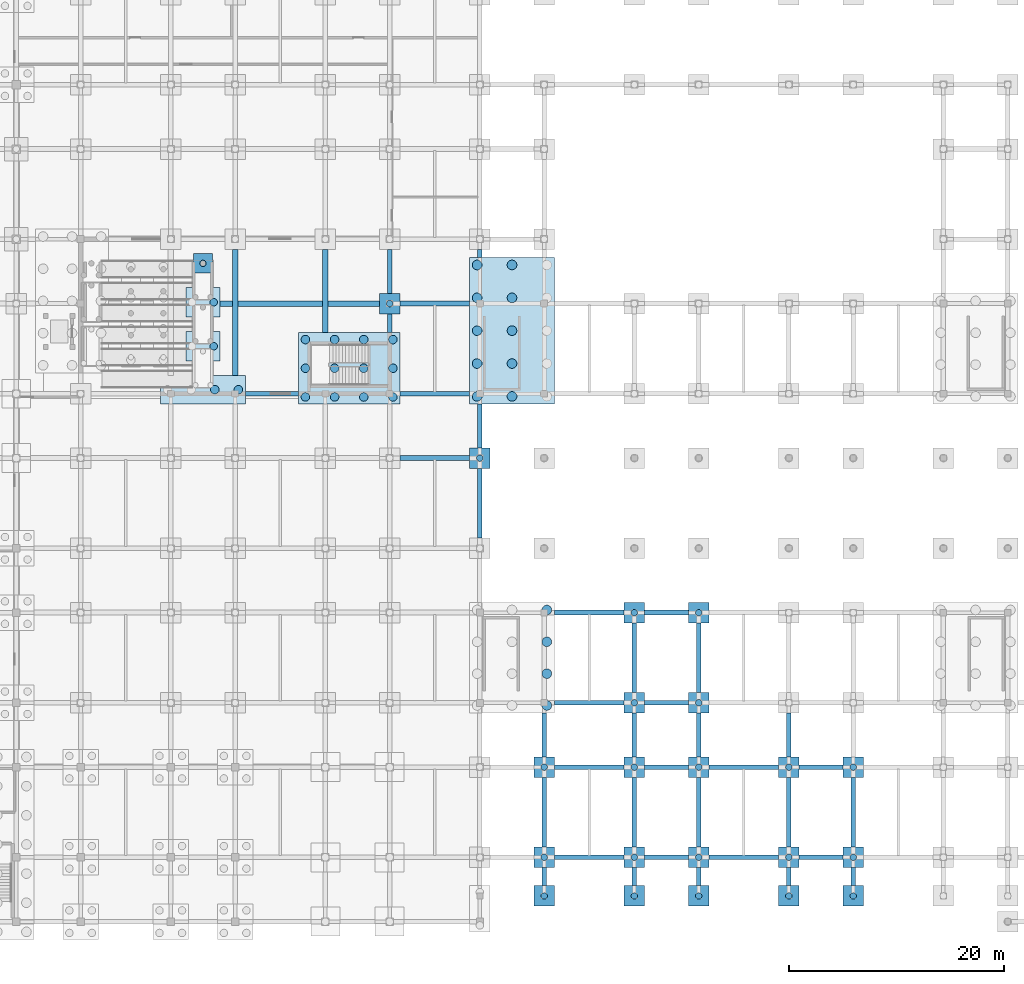
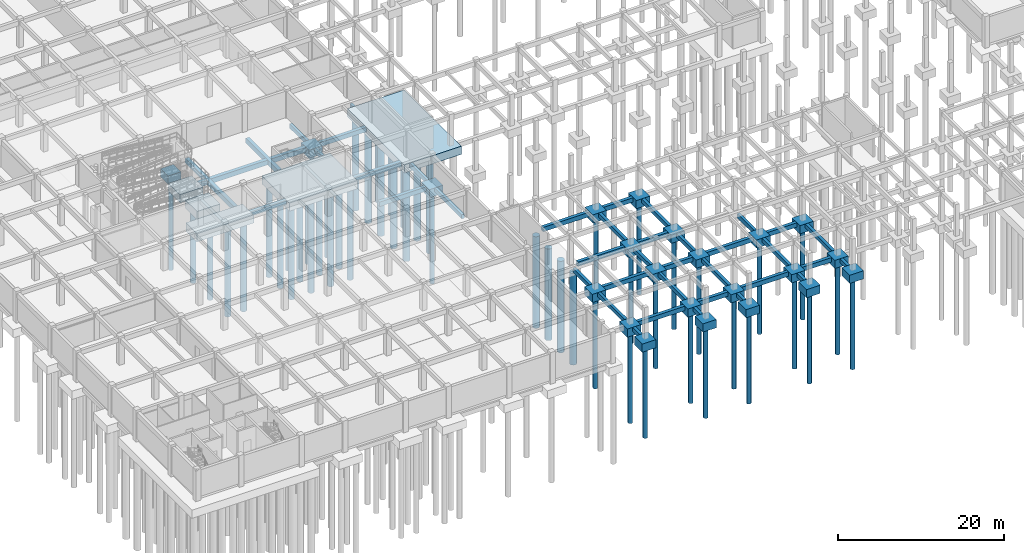
# One storey, part 4 of 40: 67 footings, 52 piles.
"""IFC4 building model written with IfcOpenShell, lengths in metres."""

import ifcopenshell
import ifcopenshell.guid

model = None  # the IFC model being written
_history = None  # IfcOwnerHistory: only IFC2X3 demands one
_inside = {}  # id of a spatial element -> (the spatial element, [elements in it])
_under = {}  # id of a project, library or spatial element -> (it, [spatial elements below it])
_declared = {}  # id of a project -> (the project, [libraries it declares])
_typed = {}  # id of a type object -> (the type object, [elements of that type])
_made_of = {}  # id of a material, layer set ... -> (it, [elements and type objects made of it])


def new_model(schema):
    """Start an empty IFC model of exactly this schema.

    Asked for "IFC4X3", IfcOpenShell would pick the latest addendum, in which some entities
    have other attributes; the version numbers below select the first issue.
    IFC2X3 requires an IfcOwnerHistory on every rooted entity: one is made here for all.
    """
    global model, _history
    if schema == "IFC4X3":
        model = ifcopenshell.file(schema_version=(4, 3, 0, 0))
    else:
        model = ifcopenshell.file(schema=schema)
    _inside.clear()
    _under.clear()
    _declared.clear()
    _typed.clear()
    _made_of.clear()
    _history = None
    if model.schema == "IFC2X3":
        org = make("IfcOrganization", Name="unknown")
        user = make(
            "IfcPersonAndOrganization",
            ThePerson=make("IfcPerson", FamilyName="unknown"),
            TheOrganization=org,
        )
        app = make(
            "IfcApplication",
            ApplicationDeveloper=org,
            Version="unknown",
            ApplicationFullName="unknown",
            ApplicationIdentifier="unknown",
        )
        _history = make(
            "IfcOwnerHistory",
            OwningUser=user,
            OwningApplication=app,
            ChangeAction="ADDED",
            CreationDate=0,
        )
    return model


def make(cls, **values):
    """One entity of the class cls with the attributes given. An attribute that is None is left unset."""
    return model.create_entity(
        cls, **{name: value for name, value in values.items() if value is not None}
    )


def rooted(cls, **values):
    """An entity with a GlobalId (a new one), such as an element, a storey or a relation."""
    return make(cls, GlobalId=ifcopenshell.guid.new(), OwnerHistory=_history, **values)


def si_unit(unit_type, name, prefix=None):
    """IfcSIUnit, for example si_unit("LENGTHUNIT", "METRE", prefix="MILLI")."""
    return make("IfcSIUnit", UnitType=unit_type, Prefix=prefix, Name=name)


def assignment(units):
    """IfcUnitAssignment: the units of a project."""
    return None if units is None else make("IfcUnitAssignment", Units=units)


def point(xyz):
    """IfcCartesianPoint."""
    return None if xyz is None else make("IfcCartesianPoint", Coordinates=xyz)


def direction(xyz):
    """IfcDirection."""
    return None if xyz is None else make("IfcDirection", DirectionRatios=xyz)


def frame(location, z_axis=None, x_axis=None):
    """IfcAxis2Placement3D, a coordinate frame: its origin and axes. An axis left out is left unset."""
    return make(
        "IfcAxis2Placement3D",
        Location=point(location),
        Axis=direction(z_axis),
        RefDirection=direction(x_axis),
    )


def frame_2d(location, x_axis=None):
    """IfcAxis2Placement2D, a coordinate frame in the plane: its origin and x axis."""
    return make(
        "IfcAxis2Placement2D", Location=point(location), RefDirection=direction(x_axis)
    )


def origin():
    """The frame at (0, 0, 0) with its axes left unset."""
    return frame((0.0, 0.0, 0.0))


def origin_2d():
    """The frame at (0, 0) in the plane with its x axis left unset."""
    return frame_2d((0.0, 0.0))


def place(relative_to, where):
    """IfcLocalPlacement: puts the frame where relative to a parent placement (None: the world)."""
    return make(
        "IfcLocalPlacement", PlacementRelTo=relative_to, RelativePlacement=where
    )


def context(
    kind, dimensions, precision=None, world=None, true_north=None, identifier=None
):
    """IfcGeometricRepresentationContext, for example the 3D "Model" context."""
    return make(
        "IfcGeometricRepresentationContext",
        ContextIdentifier=identifier,
        ContextType=kind,
        CoordinateSpaceDimension=dimensions,
        Precision=precision,
        WorldCoordinateSystem=world,
        TrueNorth=true_north,
    )


def subcontext(parent, identifier, kind, view, scale=None):
    """IfcGeometricRepresentationSubContext, for example "Body" below "Model"."""
    return make(
        "IfcGeometricRepresentationSubContext",
        ContextIdentifier=identifier,
        ContextType=kind,
        ParentContext=parent,
        TargetScale=scale,
        TargetView=view,
    )


def project(units=None, contexts=None):
    """IfcProject with its units and contexts."""
    return rooted(
        "IfcProject",
        Name="project",
        RepresentationContexts=contexts,
        UnitsInContext=assignment(units),
    )


def spatial(cls, under=None, at=None, **own):
    """A site, building, storey or space (cls), placed at a placement, below another one or the project."""
    s = rooted(cls, ObjectPlacement=at, **own)
    if under is not None:
        _under.setdefault(under.id(), (under, []))[1].append(s)
    return s


def profile(cls, at=None, kind="AREA", **sizes):
    """A parametric profile (cls). Its sizes go by their IFC names, for example OverallWidth=200.0."""
    return make(cls, ProfileType=kind, Position=at, **sizes)


def rectangle(**sizes):
    """IfcRectangleProfileDef."""
    return profile("IfcRectangleProfileDef", **sizes)


def circle(**sizes):
    """IfcCircleProfileDef."""
    return profile("IfcCircleProfileDef", **sizes)


def extrude(swept, where, along, depth):
    """IfcExtrudedAreaSolid: the profile swept, set in the frame where, extruded along a direction by depth."""
    return make(
        "IfcExtrudedAreaSolid",
        SweptArea=swept,
        Position=where,
        ExtrudedDirection=direction(along),
        Depth=depth,
    )


def shape(context_of_items, identifier, shape_type, items):
    """IfcShapeRepresentation: the items that make up one representation, for example the "Body"."""
    return make(
        "IfcShapeRepresentation",
        ContextOfItems=context_of_items,
        RepresentationIdentifier=identifier,
        RepresentationType=shape_type,
        Items=items,
    )


def material(Name=None, Category=None):
    """IfcMaterial."""
    return make("IfcMaterial", Name=Name, Category=Category)


def material_profile(
    of_material, cross_section, Name=None, Category=None, Priority=None
):
    """IfcMaterialProfile: a cross section and its material."""
    return make(
        "IfcMaterialProfile",
        Name=Name,
        Material=of_material,
        Profile=cross_section,
        Priority=Priority,
        Category=Category,
    )


def profile_set(profiles, Name=None, composite=None):
    """IfcMaterialProfileSet."""
    return make(
        "IfcMaterialProfileSet",
        Name=Name,
        MaterialProfiles=profiles,
        CompositeProfile=composite,
    )


def made_of(thing, what):
    """Note that an element or type object is made of a material, layer set ...; save() writes the relation."""
    if what is not None:
        _made_of.setdefault(what.id(), (what, []))[1].append(thing)
    return thing


def type_object(cls, material=None, **own):
    """A type object (cls), such as IfcWallType, which elements share."""
    return made_of(rooted(cls, **own), material)


def element(
    cls,
    number,
    at=None,
    inside=None,
    cuts=None,
    type_object=None,
    material=None,
    context=None,
    identifier="Body",
    shape_type=None,
    held_by="IfcProductDefinitionShape",
    body=None,
    shapes=None,
    **own,
):
    """One element of the class cls, such as IfcWall. Its Tag is "e" and its number.

    at: its placement. inside: the storey or other place that contains it. cuts: it is an
    opening in that element (IfcRelVoidsElement). A single representation is given by context,
    identifier, shape_type and body (its items); several are given by shapes. held_by: the class
    of the entity that holds the representations. save() writes the other relations.
    """
    e = rooted(cls, Tag="e%d" % number, ObjectPlacement=at, **own)
    if body is not None:
        shapes = [shape(context, identifier, shape_type, body)]
    if shapes is not None:
        e.Representation = make(held_by, Representations=shapes)
    if inside is not None:
        _inside.setdefault(inside.id(), (inside, []))[1].append(e)
    if cuts is not None:
        rooted(
            "IfcRelVoidsElement", RelatingBuildingElement=cuts, RelatedOpeningElement=e
        )
    if type_object is not None:
        _typed.setdefault(type_object.id(), (type_object, []))[1].append(e)
    return made_of(e, material)


def aggregate(whole, parts):
    """IfcRelAggregates: a whole, such as a stair, and the parts it consists of."""
    return rooted("IfcRelAggregates", RelatingObject=whole, RelatedObjects=parts)


def save(model, path):
    """Write the relations noted so far, then the file.

    IfcRelAggregates (storeys below a building ...), IfcRelContainedInSpatialStructure (elements
    in a storey), IfcRelDefinesByType, IfcRelAssociatesMaterial and IfcRelDeclares: one each for
    every whole, place, type object, material and project.
    """
    for whole, parts in _under.values():
        aggregate(whole, parts)
    for where, things in _inside.values():
        rooted(
            "IfcRelContainedInSpatialStructure",
            RelatedElements=things,
            RelatingStructure=where,
        )
    for kind, things in _typed.values():
        rooted("IfcRelDefinesByType", RelatedObjects=things, RelatingType=kind)
    for what, things in _made_of.values():
        rooted("IfcRelAssociatesMaterial", RelatedObjects=things, RelatingMaterial=what)
    for by, libraries in _declared.values():
        rooted("IfcRelDeclares", RelatingContext=by, RelatedDefinitions=libraries)
    model.write(path)


model = new_model("IFC4")

# Units and contexts
model_context = context("Model", 3, precision=1e-05, world=origin(), true_north=direction((0.0, 1.0)))
body_context = subcontext(model_context, "Body", "Model", "MODEL_VIEW")
ifc_project = project(units=[si_unit("LENGTHUNIT", "METRE"), si_unit("AREAUNIT", "SQUARE_METRE"), si_unit("VOLUMEUNIT", "CUBIC_METRE"), si_unit("PLANEANGLEUNIT", "RADIAN"), si_unit("MASSUNIT", "GRAM", prefix="KILO"), si_unit("THERMODYNAMICTEMPERATUREUNIT", "KELVIN")], contexts=[model_context])

# Site, building, storey
site_placement = place(None, origin())
site = spatial("IfcSite", under=ifc_project, at=site_placement, CompositionType="ELEMENT")
building_placement = place(site_placement, origin())
building = spatial("IfcBuilding", under=site, at=building_placement, Name="Thalorik Housing Commons", CompositionType="ELEMENT")
storey_placement = place(building_placement, frame((0.0, 0.0, -4.199951171875)))
storey = spatial("IfcBuildingStorey", under=building, at=storey_placement, Name="B1", CompositionType="ELEMENT", Elevation=-4.199951171875)

# Footings
ifc_material = material(Name="Concrete C40/50", Category="concrete")
footing_type_1 = type_object("IfcFootingType", Name="STR-CAP-1800x1800", PredefinedType="PILE_CAP", material=ifc_material)
footing_1_placement = place(storey_placement, frame((40.199951171875, 69.75, -1.64990234375), z_axis=(0.0, 0.0, 1.0), x_axis=(1.0, 0.0, 0.0)))
element("IfcFooting", 1, at=footing_1_placement, inside=storey, type_object=footing_type_1, Name="B1 Pile Cap 157", PredefinedType="PILE_CAP", context=body_context, shape_type="SweptSolid", body=[
    extrude(rectangle(XDim=1.800048828125, YDim=1.800048828125, at=origin_2d()), origin(), (0.0, 0.0, 1.0), 1.199951171875),
])
footing_type_2 = type_object("IfcFootingType", Name="STR-CAP-1900x1900", PredefinedType="PILE_CAP", material=ifc_material)
for number, where, z_axis, x_axis, name in (
    (2, (72.0, 10.800048828125, -1.64990234375), (0.0, 0.0, 1.0), (1.0, 0.0, 0.0), "B1 Pile Cap 14"),
    (3, (80.39990234375, 10.800048828125, -1.64990234375), (0.0, 0.0, 1.0), (1.0, 0.0, 0.0), "B1 Pile Cap 15"),
    (4, (86.39990234375, 10.800048828125, -1.64990234375), (0.0, 0.0, 1.0), (1.0, 0.0, 0.0), "B1 Pile Cap 16"),
    (5, (94.800048828125, 10.800048828125, -1.64990234375), (0.0, 0.0, 1.0), (1.0, 0.0, 0.0), "B1 Pile Cap 17"),
    (6, (100.800048828125, 10.800048828125, -1.64990234375), (0.0, 0.0, 1.0), (1.0, 0.0, 0.0), "B1 Pile Cap 18"),
    (7, (72.0, 14.39990234375, -1.64990234375), (0.0, 0.0, 1.0), (1.0, 0.0, 0.0), "B1 Pile Cap 27"),
    (8, (80.39990234375, 14.39990234375, -1.64990234375), (0.0, 0.0, 1.0), (1.0, 0.0, 0.0), "B1 Pile Cap 28"),
    (9, (86.39990234375, 14.39990234375, -1.64990234375), (0.0, 0.0, 1.0), (1.0, 0.0, 0.0), "B1 Pile Cap 29"),
    (10, (94.800048828125, 14.39990234375, -1.64990234375), (0.0, 0.0, 1.0), (1.0, 0.0, 0.0), "B1 Pile Cap 30"),
    (11, (100.800048828125, 14.39990234375, -1.64990234375), (0.0, 0.0, 1.0), (1.0, 0.0, 0.0), "B1 Pile Cap 31"),
    (12, (72.0, 22.800048828125, -1.64990234375), (0.0, 0.0, 1.0), (1.0, 0.0, 0.0), "B1 Pile Cap 44"),
    (13, (80.39990234375, 22.800048828125, -1.64990234375), (0.0, 0.0, 1.0), (1.0, 0.0, 0.0), "B1 Pile Cap 45"),
    (14, (86.39990234375, 22.800048828125, -1.64990234375), (0.0, 0.0, 1.0), (1.0, 0.0, 0.0), "B1 Pile Cap 46"),
    (15, (94.800048828125, 22.800048828125, -1.64990234375), (0.0, 0.0, 1.0), (1.0, 0.0, 0.0), "B1 Pile Cap 47"),
    (16, (100.800048828125, 22.800048828125, -1.64990234375), (0.0, 0.0, 1.0), (1.0, 0.0, 0.0), "B1 Pile Cap 48"),
    (17, (80.39990234375, 28.800048828125, -1.64990234375), (0.0, 0.0, 1.0), (1.0, 0.0, 0.0), "B1 Pile Cap 67"),
    (18, (86.39990234375, 28.800048828125, -1.64990234375), (0.0, 0.0, 1.0), (1.0, 0.0, 0.0), "B1 Pile Cap 68"),
    (19, (80.39990234375, 37.199951171875, -1.64990234375), (0.0, 0.0, 1.0), (1.0, 0.0, 0.0), "B1 Pile Cap 91"),
    (20, (86.39990234375, 37.199951171875, -1.64990234375), (0.0, 0.0, 1.0), (1.0, 0.0, 0.0), "B1 Pile Cap 92"),
    (21, (66.0, 51.60009765625, -1.64990234375), (0.0, 0.0, 1.0), (1.0, 0.0, 0.0), "B1 Pile Cap 124"),
    (22, (57.60009765625, 66.0, -1.64990234375), (0.0, 0.0, 1.0), (1.0, 0.0, 0.0), "B1 Pile Cap 152"),
):
    element("IfcFooting", number, at=place(storey_placement, frame(where, z_axis=z_axis, x_axis=x_axis)), inside=storey, type_object=footing_type_2, Name=name, PredefinedType="PILE_CAP", context=body_context, shape_type="SweptSolid", body=[
        extrude(rectangle(XDim=1.89990234375, YDim=1.89990234375, at=origin_2d()), origin(), (0.0, 0.0, 1.0), 1.199951171875),
    ])
footing_type_3 = type_object("IfcFootingType", Name="STR-CAP-3200x2750", PredefinedType="PILE_CAP", material=ifc_material)
for number, where, z_axis, x_axis, name in (
    (23, (40.199951171875, 62.02490234375, -1.64990234375), (0.0, 0.0, 1.0), (1.0, 0.0, 0.0), "B1 Pile Cap 144"),
    (24, (40.199951171875, 66.125, -1.64990234375), (0.0, 0.0, 1.0), (1.0, 0.0, 0.0), "B1 Pile Cap 147"),
):
    element("IfcFooting", number, at=place(storey_placement, frame(where, z_axis=z_axis, x_axis=x_axis)), inside=storey, type_object=footing_type_3, Name=name, PredefinedType="PILE_CAP", context=body_context, shape_type="SweptSolid", body=[
        extrude(rectangle(XDim=3.199951171875, YDim=2.75, at=origin_2d()), origin(), (0.0, 0.0, 1.0), 1.199951171875),
    ])
footing_type_4 = type_object("IfcFootingType", Name="STR-CAP-7900x13650", PredefinedType="PILE_CAP", material=ifc_material)
footing_2_placement = place(storey_placement, frame((69.0, 63.47509765625, -1.64990234375), z_axis=(0.0, 0.0, 1.0), x_axis=(1.0, 0.0, 0.0)))
element("IfcFooting", 25, at=footing_2_placement, inside=storey, type_object=footing_type_4, Name="B1 Pile Cap 135", PredefinedType="PILE_CAP", context=body_context, shape_type="SweptSolid", body=[
    extrude(rectangle(XDim=7.89990234375, YDim=13.64990234375, at=origin_2d()), origin(), (0.0, 0.0, 1.0), 1.199951171875),
])
footing_type_5 = type_object("IfcFootingType", Name="STR-CAP-7900x2650", PredefinedType="PILE_CAP", material=ifc_material)
footing_3_placement = place(storey_placement, frame((40.199951171875, 57.97509765625, -1.64990234375), z_axis=(0.0, 0.0, 1.0), x_axis=(1.0, 0.0, 0.0)))
element("IfcFooting", 26, at=footing_3_placement, inside=storey, type_object=footing_type_5, Name="B1 Pile Cap 133", PredefinedType="PILE_CAP", context=body_context, shape_type="SweptSolid", body=[
    extrude(rectangle(XDim=7.89990234375, YDim=2.64990234375, at=origin_2d()), origin(), (0.0, 0.0, 1.0), 1.199951171875),
])
footing_type_6 = type_object("IfcFootingType", Name="STR-CAP-9450x6650", PredefinedType="PILE_CAP", material=ifc_material)
footing_4_placement = place(storey_placement, frame((53.824951171875, 59.97509765625, -1.64990234375), z_axis=(0.0, 0.0, 1.0), x_axis=(1.0, 0.0, 0.0)))
element("IfcFooting", 27, at=footing_4_placement, inside=storey, type_object=footing_type_6, Name="B1 Pile Cap 134", PredefinedType="PILE_CAP", context=body_context, shape_type="SweptSolid", body=[
    extrude(rectangle(XDim=9.449951171875, YDim=6.64990234375, at=origin_2d()), origin(), (0.0, 0.0, 1.0), 1.199951171875),
])
ifc_material_profile_1 = material_profile(ifc_material, rectangle(XDim=0.39990234375, YDim=0.60009765625, at=origin_2d()), Name="RC 400x600", Category="concrete")
ifc_profile_set_1 = profile_set([ifc_material_profile_1], Name="Concrete C40/50")
footing_type_7 = type_object("IfcFootingType", Name="STR-GB-400", PredefinedType="FOOTING_BEAM", material=ifc_profile_set_1)
footing_5_placement = place(storey_placement, frame((57.60009765625, 63.300048828125, -0.75), z_axis=(0.0, 1.0, 0.0), x_axis=(-1.0, 0.0, 0.0)))
element("IfcFooting", 28, at=footing_5_placement, inside=storey, type_object=footing_type_7, Name="B1 Ground Tie-Beam Y 366", PredefinedType="FOOTING_BEAM", context=body_context, shape_type="SweptSolid", body=[
    extrude(rectangle(XDim=0.39990234375, YDim=0.60009765625, at=origin_2d()), origin(), (0.0, 0.0, 1.0), 1.75),
])
footing_6_placement = place(storey_placement, frame((57.60009765625, 66.949951171875, -0.75), z_axis=(0.0, 1.0, 0.0), x_axis=(-1.0, 0.0, 0.0)))
element("IfcFooting", 29, at=footing_6_placement, inside=storey, type_object=footing_type_7, Name="B1 Ground Tie-Beam Y 367", PredefinedType="FOOTING_BEAM", context=body_context, shape_type="SweptSolid", body=[
    extrude(rectangle(XDim=0.39990234375, YDim=0.60009765625, at=origin_2d()), origin(), (0.0, 0.0, 1.0), 4.10009765625),
])
footing_7_placement = place(storey_placement, frame((66.0, 44.14990234375, -0.75), z_axis=(0.0, 1.0, 0.0), x_axis=(-1.0, 0.0, 0.0)))
element("IfcFooting", 30, at=footing_7_placement, inside=storey, type_object=footing_type_7, Name="B1 Ground Tie-Beam Y 379", PredefinedType="FOOTING_BEAM", context=body_context, shape_type="SweptSolid", body=[
    extrude(rectangle(XDim=0.39990234375, YDim=0.60009765625, at=origin_2d()), origin(), (0.0, 0.0, 1.0), 6.5),
])
footing_8_placement = place(storey_placement, frame((66.0, 52.550048828125, -0.75), z_axis=(0.0, 1.0, 0.0), x_axis=(-1.0, 0.0, 0.0)))
element("IfcFooting", 31, at=footing_8_placement, inside=storey, type_object=footing_type_7, Name="B1 Ground Tie-Beam Y 380", PredefinedType="FOOTING_BEAM", context=body_context, shape_type="SweptSolid", body=[
    extrude(rectangle(XDim=0.39990234375, YDim=0.60009765625, at=origin_2d()), origin(), (0.0, 0.0, 1.0), 4.099853515625),
])
footing_9_placement = place(storey_placement, frame((66.0, 70.300048828125, -0.75), z_axis=(0.0, 1.0, 0.0), x_axis=(-1.0, 0.0, 0.0)))
element("IfcFooting", 32, at=footing_9_placement, inside=storey, type_object=footing_type_7, Name="B1 Ground Tie-Beam Y 381", PredefinedType="FOOTING_BEAM", context=body_context, shape_type="SweptSolid", body=[
    extrude(rectangle(XDim=0.39990234375, YDim=0.60009765625, at=origin_2d()), origin(), (0.0, 0.0, 1.0), 0.75),
])
footing_10_placement = place(storey_placement, frame((72.0, 11.75, -0.75), z_axis=(0.0, 1.0, 0.0), x_axis=(-1.0, 0.0, 0.0)))
element("IfcFooting", 33, at=footing_10_placement, inside=storey, type_object=footing_type_7, Name="B1 Ground Tie-Beam Y 389", PredefinedType="FOOTING_BEAM", context=body_context, shape_type="SweptSolid", body=[
    extrude(rectangle(XDim=0.39990234375, YDim=0.60009765625, at=origin_2d()), origin(), (0.0, 0.0, 1.0), 1.699951171875),
])
footing_11_placement = place(storey_placement, frame((72.0, 15.35009765625, -0.75), z_axis=(0.0, 1.0, 0.0), x_axis=(-1.0, 0.0, 0.0)))
element("IfcFooting", 34, at=footing_11_placement, inside=storey, type_object=footing_type_7, Name="B1 Ground Tie-Beam Y 390", PredefinedType="FOOTING_BEAM", context=body_context, shape_type="SweptSolid", body=[
    extrude(rectangle(XDim=0.39990234375, YDim=0.60009765625, at=origin_2d()), origin(), (0.0, 0.0, 1.0), 6.5),
])
footing_12_placement = place(storey_placement, frame((72.0, 23.75, -0.75), z_axis=(0.0, 1.0, 0.0), x_axis=(-1.0, 0.0, 0.0)))
element("IfcFooting", 35, at=footing_12_placement, inside=storey, type_object=footing_type_7, Name="B1 Ground Tie-Beam Y 391", PredefinedType="FOOTING_BEAM", context=body_context, shape_type="SweptSolid", body=[
    extrude(rectangle(XDim=0.39990234375, YDim=0.60009765625, at=origin_2d()), origin(), (0.0, 0.0, 1.0), 4.10009765625),
])
footing_13_placement = place(storey_placement, frame((80.39990234375, 11.75, -0.75), z_axis=(0.0, 1.0, 0.0), x_axis=(-1.0, 0.0, 0.0)))
element("IfcFooting", 36, at=footing_13_placement, inside=storey, type_object=footing_type_7, Name="B1 Ground Tie-Beam Y 395", PredefinedType="FOOTING_BEAM", context=body_context, shape_type="SweptSolid", body=[
    extrude(rectangle(XDim=0.39990234375, YDim=0.60009765625, at=origin_2d()), origin(), (0.0, 0.0, 1.0), 1.699951171875),
])
footing_14_placement = place(storey_placement, frame((80.39990234375, 15.35009765625, -0.75), z_axis=(0.0, 1.0, 0.0), x_axis=(-1.0, 0.0, 0.0)))
element("IfcFooting", 37, at=footing_14_placement, inside=storey, type_object=footing_type_7, Name="B1 Ground Tie-Beam Y 396", PredefinedType="FOOTING_BEAM", context=body_context, shape_type="SweptSolid", body=[
    extrude(rectangle(XDim=0.39990234375, YDim=0.60009765625, at=origin_2d()), origin(), (0.0, 0.0, 1.0), 6.5),
])
footing_15_placement = place(storey_placement, frame((80.39990234375, 23.75, -0.75), z_axis=(0.0, 1.0, 0.0), x_axis=(-1.0, 0.0, 0.0)))
element("IfcFooting", 38, at=footing_15_placement, inside=storey, type_object=footing_type_7, Name="B1 Ground Tie-Beam Y 397", PredefinedType="FOOTING_BEAM", context=body_context, shape_type="SweptSolid", body=[
    extrude(rectangle(XDim=0.39990234375, YDim=0.60009765625, at=origin_2d()), origin(), (0.0, 0.0, 1.0), 4.10009765625),
])
footing_16_placement = place(storey_placement, frame((80.39990234375, 29.75, -0.75), z_axis=(0.0, 1.0, 0.0), x_axis=(-1.0, 0.0, 0.0)))
element("IfcFooting", 39, at=footing_16_placement, inside=storey, type_object=footing_type_7, Name="B1 Ground Tie-Beam Y 398", PredefinedType="FOOTING_BEAM", context=body_context, shape_type="SweptSolid", body=[
    extrude(rectangle(XDim=0.39990234375, YDim=0.60009765625, at=origin_2d()), origin(), (0.0, 0.0, 1.0), 6.5),
])
footing_17_placement = place(storey_placement, frame((86.39990234375, 11.75, -0.75), z_axis=(0.0, 1.0, 0.0), x_axis=(-1.0, 0.0, 0.0)))
element("IfcFooting", 40, at=footing_17_placement, inside=storey, type_object=footing_type_7, Name="B1 Ground Tie-Beam Y 402", PredefinedType="FOOTING_BEAM", context=body_context, shape_type="SweptSolid", body=[
    extrude(rectangle(XDim=0.39990234375, YDim=0.60009765625, at=origin_2d()), origin(), (0.0, 0.0, 1.0), 1.699951171875),
])
footing_18_placement = place(storey_placement, frame((86.39990234375, 15.35009765625, -0.75), z_axis=(0.0, 1.0, 0.0), x_axis=(-1.0, 0.0, 0.0)))
element("IfcFooting", 41, at=footing_18_placement, inside=storey, type_object=footing_type_7, Name="B1 Ground Tie-Beam Y 403", PredefinedType="FOOTING_BEAM", context=body_context, shape_type="SweptSolid", body=[
    extrude(rectangle(XDim=0.39990234375, YDim=0.60009765625, at=origin_2d()), origin(), (0.0, 0.0, 1.0), 6.5),
])
footing_19_placement = place(storey_placement, frame((86.39990234375, 23.75, -0.75), z_axis=(0.0, 1.0, 0.0), x_axis=(-1.0, 0.0, 0.0)))
element("IfcFooting", 42, at=footing_19_placement, inside=storey, type_object=footing_type_7, Name="B1 Ground Tie-Beam Y 404", PredefinedType="FOOTING_BEAM", context=body_context, shape_type="SweptSolid", body=[
    extrude(rectangle(XDim=0.39990234375, YDim=0.60009765625, at=origin_2d()), origin(), (0.0, 0.0, 1.0), 4.10009765625),
])
footing_20_placement = place(storey_placement, frame((86.39990234375, 29.75, -0.75), z_axis=(0.0, 1.0, 0.0), x_axis=(-1.0, 0.0, 0.0)))
element("IfcFooting", 43, at=footing_20_placement, inside=storey, type_object=footing_type_7, Name="B1 Ground Tie-Beam Y 405", PredefinedType="FOOTING_BEAM", context=body_context, shape_type="SweptSolid", body=[
    extrude(rectangle(XDim=0.39990234375, YDim=0.60009765625, at=origin_2d()), origin(), (0.0, 0.0, 1.0), 6.5),
])
footing_21_placement = place(storey_placement, frame((94.800048828125, 11.75, -0.75), z_axis=(0.0, 1.0, 0.0), x_axis=(-1.0, 0.0, 0.0)))
element("IfcFooting", 44, at=footing_21_placement, inside=storey, type_object=footing_type_7, Name="B1 Ground Tie-Beam Y 409", PredefinedType="FOOTING_BEAM", context=body_context, shape_type="SweptSolid", body=[
    extrude(rectangle(XDim=0.39990234375, YDim=0.60009765625, at=origin_2d()), origin(), (0.0, 0.0, 1.0), 1.699951171875),
])
footing_22_placement = place(storey_placement, frame((94.800048828125, 15.35009765625, -0.75), z_axis=(0.0, 1.0, 0.0), x_axis=(-1.0, 0.0, 0.0)))
element("IfcFooting", 45, at=footing_22_placement, inside=storey, type_object=footing_type_7, Name="B1 Ground Tie-Beam Y 410", PredefinedType="FOOTING_BEAM", context=body_context, shape_type="SweptSolid", body=[
    extrude(rectangle(XDim=0.39990234375, YDim=0.60009765625, at=origin_2d()), origin(), (0.0, 0.0, 1.0), 6.5),
])
footing_23_placement = place(storey_placement, frame((94.800048828125, 23.75, -0.75), z_axis=(0.0, 1.0, 0.0), x_axis=(-1.0, 0.0, 0.0)))
element("IfcFooting", 46, at=footing_23_placement, inside=storey, type_object=footing_type_7, Name="B1 Ground Tie-Beam Y 411", PredefinedType="FOOTING_BEAM", context=body_context, shape_type="SweptSolid", body=[
    extrude(rectangle(XDim=0.39990234375, YDim=0.60009765625, at=origin_2d()), origin(), (0.0, 0.0, 1.0), 4.10009765625),
])
footing_24_placement = place(storey_placement, frame((100.800048828125, 11.75, -0.75), z_axis=(0.0, 1.0, 0.0), x_axis=(-1.0, 0.0, 0.0)))
element("IfcFooting", 47, at=footing_24_placement, inside=storey, type_object=footing_type_7, Name="B1 Ground Tie-Beam Y 416", PredefinedType="FOOTING_BEAM", context=body_context, shape_type="SweptSolid", body=[
    extrude(rectangle(XDim=0.39990234375, YDim=0.60009765625, at=origin_2d()), origin(), (0.0, 0.0, 1.0), 1.699951171875),
])
footing_25_placement = place(storey_placement, frame((100.800048828125, 15.35009765625, -0.75), z_axis=(0.0, 1.0, 0.0), x_axis=(-1.0, 0.0, 0.0)))
element("IfcFooting", 48, at=footing_25_placement, inside=storey, type_object=footing_type_7, Name="B1 Ground Tie-Beam Y 417", PredefinedType="FOOTING_BEAM", context=body_context, shape_type="SweptSolid", body=[
    extrude(rectangle(XDim=0.39990234375, YDim=0.60009765625, at=origin_2d()), origin(), (0.0, 0.0, 1.0), 6.5),
])
ifc_material_profile_2 = material_profile(ifc_material, rectangle(XDim=0.449951171875, YDim=0.64990234375, at=origin_2d()), Name="RC 450x650", Category="concrete")
ifc_profile_set_2 = profile_set([ifc_material_profile_2], Name="Concrete C40/50")
footing_type_8 = type_object("IfcFootingType", Name="STR-GB-500", PredefinedType="FOOTING_BEAM", material=ifc_profile_set_2)
footing_26_placement = place(storey_placement, frame((72.949951171875, 14.39990234375, -0.775146484375), z_axis=(1.0, 0.0, 0.0), x_axis=(0.0, 1.0, 0.0)))
element("IfcFooting", 49, at=footing_26_placement, inside=storey, type_object=footing_type_8, Name="B1 Ground Tie-Beam X 19", PredefinedType="FOOTING_BEAM", context=body_context, shape_type="SweptSolid", body=[
    extrude(rectangle(XDim=0.449951171875, YDim=0.64990234375, at=origin_2d()), origin(), (0.0, 0.0, 1.0), 6.5),
])
footing_27_placement = place(storey_placement, frame((81.35009765625, 14.39990234375, -0.775146484375), z_axis=(1.0, 0.0, 0.0), x_axis=(0.0, 1.0, 0.0)))
element("IfcFooting", 50, at=footing_27_placement, inside=storey, type_object=footing_type_8, Name="B1 Ground Tie-Beam X 20", PredefinedType="FOOTING_BEAM", context=body_context, shape_type="SweptSolid", body=[
    extrude(rectangle(XDim=0.449951171875, YDim=0.64990234375, at=origin_2d()), origin(), (0.0, 0.0, 1.0), 4.099853515625),
])
footing_28_placement = place(storey_placement, frame((87.35009765625, 14.39990234375, -0.775146484375), z_axis=(1.0, 0.0, 0.0), x_axis=(0.0, 1.0, 0.0)))
element("IfcFooting", 51, at=footing_28_placement, inside=storey, type_object=footing_type_8, Name="B1 Ground Tie-Beam X 21", PredefinedType="FOOTING_BEAM", context=body_context, shape_type="SweptSolid", body=[
    extrude(rectangle(XDim=0.449951171875, YDim=0.64990234375, at=origin_2d()), origin(), (0.0, 0.0, 1.0), 6.5),
])
footing_29_placement = place(storey_placement, frame((95.75, 14.39990234375, -0.775146484375), z_axis=(1.0, 0.0, 0.0), x_axis=(0.0, 1.0, 0.0)))
element("IfcFooting", 52, at=footing_29_placement, inside=storey, type_object=footing_type_8, Name="B1 Ground Tie-Beam X 22", PredefinedType="FOOTING_BEAM", context=body_context, shape_type="SweptSolid", body=[
    extrude(rectangle(XDim=0.449951171875, YDim=0.64990234375, at=origin_2d()), origin(), (0.0, 0.0, 1.0), 4.10009765625),
])
footing_30_placement = place(storey_placement, frame((72.949951171875, 22.800048828125, -0.775146484375), z_axis=(1.0, 0.0, 0.0), x_axis=(0.0, 1.0, 0.0)))
element("IfcFooting", 53, at=footing_30_placement, inside=storey, type_object=footing_type_8, Name="B1 Ground Tie-Beam X 38", PredefinedType="FOOTING_BEAM", context=body_context, shape_type="SweptSolid", body=[
    extrude(rectangle(XDim=0.449951171875, YDim=0.64990234375, at=origin_2d()), origin(), (0.0, 0.0, 1.0), 6.5),
])
footing_31_placement = place(storey_placement, frame((81.35009765625, 22.800048828125, -0.775146484375), z_axis=(1.0, 0.0, 0.0), x_axis=(0.0, 1.0, 0.0)))
element("IfcFooting", 54, at=footing_31_placement, inside=storey, type_object=footing_type_8, Name="B1 Ground Tie-Beam X 39", PredefinedType="FOOTING_BEAM", context=body_context, shape_type="SweptSolid", body=[
    extrude(rectangle(XDim=0.449951171875, YDim=0.64990234375, at=origin_2d()), origin(), (0.0, 0.0, 1.0), 4.099853515625),
])
footing_32_placement = place(storey_placement, frame((87.35009765625, 22.800048828125, -0.775146484375), z_axis=(1.0, 0.0, 0.0), x_axis=(0.0, 1.0, 0.0)))
element("IfcFooting", 55, at=footing_32_placement, inside=storey, type_object=footing_type_8, Name="B1 Ground Tie-Beam X 40", PredefinedType="FOOTING_BEAM", context=body_context, shape_type="SweptSolid", body=[
    extrude(rectangle(XDim=0.449951171875, YDim=0.64990234375, at=origin_2d()), origin(), (0.0, 0.0, 1.0), 6.5),
])
footing_33_placement = place(storey_placement, frame((95.75, 22.800048828125, -0.775146484375), z_axis=(1.0, 0.0, 0.0), x_axis=(0.0, 1.0, 0.0)))
element("IfcFooting", 56, at=footing_33_placement, inside=storey, type_object=footing_type_8, Name="B1 Ground Tie-Beam X 41", PredefinedType="FOOTING_BEAM", context=body_context, shape_type="SweptSolid", body=[
    extrude(rectangle(XDim=0.449951171875, YDim=0.64990234375, at=origin_2d()), origin(), (0.0, 0.0, 1.0), 4.10009765625),
])
footing_34_placement = place(storey_placement, frame((72.949951171875, 28.800048828125, -0.775146484375), z_axis=(1.0, 0.0, 0.0), x_axis=(0.0, 1.0, 0.0)))
element("IfcFooting", 57, at=footing_34_placement, inside=storey, type_object=footing_type_8, Name="B1 Ground Tie-Beam X 59", PredefinedType="FOOTING_BEAM", context=body_context, shape_type="SweptSolid", body=[
    extrude(rectangle(XDim=0.449951171875, YDim=0.64990234375, at=origin_2d()), origin(), (0.0, 0.0, 1.0), 6.5),
])
footing_35_placement = place(storey_placement, frame((81.35009765625, 28.800048828125, -0.775146484375), z_axis=(1.0, 0.0, 0.0), x_axis=(0.0, 1.0, 0.0)))
element("IfcFooting", 58, at=footing_35_placement, inside=storey, type_object=footing_type_8, Name="B1 Ground Tie-Beam X 60", PredefinedType="FOOTING_BEAM", context=body_context, shape_type="SweptSolid", body=[
    extrude(rectangle(XDim=0.449951171875, YDim=0.64990234375, at=origin_2d()), origin(), (0.0, 0.0, 1.0), 4.099853515625),
])
footing_36_placement = place(storey_placement, frame((72.949951171875, 37.199951171875, -0.775146484375), z_axis=(1.0, 0.0, 0.0), x_axis=(0.0, 1.0, 0.0)))
element("IfcFooting", 59, at=footing_36_placement, inside=storey, type_object=footing_type_8, Name="B1 Ground Tie-Beam X 79", PredefinedType="FOOTING_BEAM", context=body_context, shape_type="SweptSolid", body=[
    extrude(rectangle(XDim=0.449951171875, YDim=0.64990234375, at=origin_2d()), origin(), (0.0, 0.0, 1.0), 6.5),
])
footing_37_placement = place(storey_placement, frame((81.35009765625, 37.199951171875, -0.775146484375), z_axis=(1.0, 0.0, 0.0), x_axis=(0.0, 1.0, 0.0)))
element("IfcFooting", 60, at=footing_37_placement, inside=storey, type_object=footing_type_8, Name="B1 Ground Tie-Beam X 80", PredefinedType="FOOTING_BEAM", context=body_context, shape_type="SweptSolid", body=[
    extrude(rectangle(XDim=0.449951171875, YDim=0.64990234375, at=origin_2d()), origin(), (0.0, 0.0, 1.0), 4.099853515625),
])
footing_38_placement = place(storey_placement, frame((58.550048828125, 51.60009765625, -0.775146484375), z_axis=(1.0, 0.0, 0.0), x_axis=(0.0, 1.0, 0.0)))
element("IfcFooting", 61, at=footing_38_placement, inside=storey, type_object=footing_type_8, Name="B1 Ground Tie-Beam X 107", PredefinedType="FOOTING_BEAM", context=body_context, shape_type="SweptSolid", body=[
    extrude(rectangle(XDim=0.449951171875, YDim=0.64990234375, at=origin_2d()), origin(), (0.0, 0.0, 1.0), 6.5),
])
footing_39_placement = place(storey_placement, frame((44.14990234375, 57.60009765625, -0.775146484375), z_axis=(1.0, 0.0, 0.0), x_axis=(0.0, 1.0, 0.0)))
element("IfcFooting", 62, at=footing_39_placement, inside=storey, type_object=footing_type_8, Name="B1 Ground Tie-Beam X 117", PredefinedType="FOOTING_BEAM", context=body_context, shape_type="SweptSolid", body=[
    extrude(rectangle(XDim=0.449951171875, YDim=0.64990234375, at=origin_2d()), origin(), (0.0, 0.0, 1.0), 4.9501953125),
])
for number, where, z_axis, x_axis, name in (
    (63, (58.550048828125, 57.60009765625, -0.775146484375), (1.0, 0.0, 0.0), (0.0, 1.0, 0.0), "B1 Ground Tie-Beam X 118"),
    (64, (58.550048828125, 66.0, -0.775146484375), (1.0, 0.0, 0.0), (0.0, 1.0, 0.0), "B1 Ground Tie-Beam X 134"),
):
    element("IfcFooting", number, at=place(storey_placement, frame(where, z_axis=z_axis, x_axis=x_axis)), inside=storey, type_object=footing_type_8, Name=name, PredefinedType="FOOTING_BEAM", context=body_context, shape_type="SweptSolid", body=[
        extrude(rectangle(XDim=0.449951171875, YDim=0.64990234375, at=origin_2d()), origin(), (0.0, 0.0, 1.0), 6.5),
    ])
ifc_material_profile_3 = material_profile(ifc_material, rectangle(XDim=0.5, YDim=0.699951171875, at=origin_2d()), Name="RC 500x700", Category="concrete")
ifc_profile_set_3 = profile_set([ifc_material_profile_3], Name="Concrete C40/50")
footing_type_9 = type_object("IfcFootingType", Name="STR-GB-600", PredefinedType="FOOTING_BEAM", material=ifc_profile_set_3)
footing_40_placement = place(storey_placement, frame((41.800048828125, 66.0, -0.800048828125), z_axis=(1.0, 0.0, 0.0), x_axis=(0.0, 1.0, 0.0)))
element("IfcFooting", 65, at=footing_40_placement, inside=storey, type_object=footing_type_9, Name="B1 Ground Tie-Beam X 133", PredefinedType="FOOTING_BEAM", context=body_context, shape_type="SweptSolid", body=[
    extrude(rectangle(XDim=0.5, YDim=0.699951171875, at=origin_2d()), origin(), (0.0, 0.0, 1.0), 14.849853515625),
])
footing_41_placement = place(storey_placement, frame((43.199951171875, 59.300048828125, -0.800048828125), z_axis=(0.0, 1.0, 0.0), x_axis=(-1.0, 0.0, 0.0)))
element("IfcFooting", 66, at=footing_41_placement, inside=storey, type_object=footing_type_9, Name="B1 Ground Tie-Beam Y 336", PredefinedType="FOOTING_BEAM", context=body_context, shape_type="SweptSolid", body=[
    extrude(rectangle(XDim=0.5, YDim=0.699951171875, at=origin_2d()), origin(), (0.0, 0.0, 1.0), 11.75),
])
footing_42_placement = place(storey_placement, frame((51.60009765625, 63.300048828125, -0.800048828125), z_axis=(0.0, 1.0, 0.0), x_axis=(-1.0, 0.0, 0.0)))
element("IfcFooting", 67, at=footing_42_placement, inside=storey, type_object=footing_type_9, Name="B1 Ground Tie-Beam Y 351", PredefinedType="FOOTING_BEAM", context=body_context, shape_type="SweptSolid", body=[
    extrude(rectangle(XDim=0.5, YDim=0.699951171875, at=origin_2d()), origin(), (0.0, 0.0, 1.0), 7.75),
])

# Piles
ifc_material_profile_4 = material_profile(ifc_material, circle(Radius=0.300048828125, at=origin_2d()), Name="BORED PILE D600", Category="concrete")
ifc_profile_set_4 = profile_set([ifc_material_profile_4], Name="Concrete C40/50")
pile_type_1 = type_object("IfcPileType", Name="STR-PILE-D600", PredefinedType="BORED", material=ifc_profile_set_4)
for number, where, z_axis, x_axis, name in (
    (68, (72.0, 10.800048828125, -1.550048828125), (0.0, 0.0, -1.0), (1.0, 0.0, 0.0), "B1 Bored Pile 90"),
    (69, (80.39990234375, 10.800048828125, -1.550048828125), (0.0, 0.0, -1.0), (1.0, 0.0, 0.0), "B1 Bored Pile 91"),
    (70, (86.39990234375, 10.800048828125, -1.550048828125), (0.0, 0.0, -1.0), (1.0, 0.0, 0.0), "B1 Bored Pile 92"),
    (71, (94.800048828125, 10.800048828125, -1.550048828125), (0.0, 0.0, -1.0), (1.0, 0.0, 0.0), "B1 Bored Pile 93"),
    (72, (100.800048828125, 10.800048828125, -1.550048828125), (0.0, 0.0, -1.0), (1.0, 0.0, 0.0), "B1 Bored Pile 94"),
    (73, (72.0, 14.39990234375, -1.550048828125), (0.0, 0.0, -1.0), (1.0, 0.0, 0.0), "B1 Bored Pile 112"),
    (74, (80.39990234375, 14.39990234375, -1.550048828125), (0.0, 0.0, -1.0), (1.0, 0.0, 0.0), "B1 Bored Pile 113"),
    (75, (86.39990234375, 14.39990234375, -1.550048828125), (0.0, 0.0, -1.0), (1.0, 0.0, 0.0), "B1 Bored Pile 114"),
    (76, (94.800048828125, 14.39990234375, -1.550048828125), (0.0, 0.0, -1.0), (1.0, 0.0, 0.0), "B1 Bored Pile 115"),
    (77, (100.800048828125, 14.39990234375, -1.550048828125), (0.0, 0.0, -1.0), (1.0, 0.0, 0.0), "B1 Bored Pile 116"),
    (78, (72.0, 22.800048828125, -1.550048828125), (0.0, 0.0, -1.0), (1.0, 0.0, 0.0), "B1 Bored Pile 138"),
    (79, (80.39990234375, 22.800048828125, -1.550048828125), (0.0, 0.0, -1.0), (1.0, 0.0, 0.0), "B1 Bored Pile 139"),
    (80, (86.39990234375, 22.800048828125, -1.550048828125), (0.0, 0.0, -1.0), (1.0, 0.0, 0.0), "B1 Bored Pile 140"),
    (81, (94.800048828125, 22.800048828125, -1.550048828125), (0.0, 0.0, -1.0), (1.0, 0.0, 0.0), "B1 Bored Pile 141"),
    (82, (100.800048828125, 22.800048828125, -1.550048828125), (0.0, 0.0, -1.0), (1.0, 0.0, 0.0), "B1 Bored Pile 142"),
    (83, (80.39990234375, 28.800048828125, -1.550048828125), (0.0, 0.0, -1.0), (1.0, 0.0, 0.0), "B1 Bored Pile 181"),
    (84, (86.39990234375, 28.800048828125, -1.550048828125), (0.0, 0.0, -1.0), (1.0, 0.0, 0.0), "B1 Bored Pile 182"),
    (85, (80.39990234375, 37.199951171875, -1.550048828125), (0.0, 0.0, -1.0), (1.0, 0.0, 0.0), "B1 Bored Pile 225"),
    (86, (86.39990234375, 37.199951171875, -1.550048828125), (0.0, 0.0, -1.0), (1.0, 0.0, 0.0), "B1 Bored Pile 226"),
    (87, (66.0, 51.60009765625, -1.550048828125), (0.0, 0.0, -1.0), (1.0, 0.0, 0.0), "B1 Bored Pile 267"),
    (88, (57.60009765625, 66.0, -1.550048828125), (0.0, 0.0, -1.0), (1.0, 0.0, 0.0), "B1 Bored Pile 389"),
    (89, (40.199951171875, 69.75, -1.550048828125), (0.0, 0.0, -1.0), (1.0, 0.0, 0.0), "B1 Bored Pile 394"),
):
    element("IfcPile", number, at=place(storey_placement, frame(where, z_axis=z_axis, x_axis=x_axis)), inside=storey, type_object=pile_type_1, Name=name, PredefinedType="BORED", context=body_context, shape_type="SweptSolid", body=[
        extrude(circle(Radius=0.300048828125, at=origin_2d()), origin(), (0.0, 0.0, 1.0), 13.449951171875),
    ])
ifc_material_profile_5 = material_profile(ifc_material, circle(Radius=0.35009765625, at=origin_2d()), Name="BORED PILE D700", Category="concrete")
ifc_profile_set_5 = profile_set([ifc_material_profile_5], Name="Concrete C40/50")
pile_type_2 = type_object("IfcPileType", Name="STR-PILE-D700", PredefinedType="BORED", material=ifc_profile_set_5)
for number, where, z_axis, x_axis, name in (
    (90, (41.199951171875, 62.02490234375, -1.550048828125), (0.0, 0.0, -1.0), (1.0, 0.0, 0.0), "B1 Bored Pile 380"),
    (91, (41.199951171875, 66.125, -1.550048828125), (0.0, 0.0, -1.0), (1.0, 0.0, 0.0), "B1 Bored Pile 384"),
):
    element("IfcPile", number, at=place(storey_placement, frame(where, z_axis=z_axis, x_axis=x_axis)), inside=storey, type_object=pile_type_2, Name=name, PredefinedType="BORED", context=body_context, shape_type="SweptSolid", body=[
        extrude(circle(Radius=0.35009765625, at=origin_2d()), origin(), (0.0, 0.0, 1.0), 13.449951171875),
    ])
ifc_material_profile_6 = material_profile(ifc_material, circle(Radius=0.39990234375, at=origin_2d()), Name="BORED PILE D800", Category="concrete")
ifc_profile_set_6 = profile_set([ifc_material_profile_6], Name="Concrete C40/50")
pile_type_3 = type_object("IfcPileType", Name="STR-PILE-D800", PredefinedType="BORED", material=ifc_profile_set_6)
for number, where, z_axis, x_axis, name in (
    (92, (41.300048828125, 57.97509765625, -1.550048828125), (0.0, 0.0, -1.0), (1.0, 0.0, 0.0), "B1 Bored Pile 311"),
    (93, (43.5, 57.97509765625, -1.550048828125), (0.0, 0.0, -1.0), (1.0, 0.0, 0.0), "B1 Bored Pile 312"),
    (94, (49.75, 57.300048828125, -1.550048828125), (0.0, 0.0, -1.0), (1.0, 0.0, 0.0), "B1 Bored Pile 313"),
    (95, (49.75, 59.97509765625, -1.550048828125), (0.0, 0.0, -1.0), (1.0, 0.0, 0.0), "B1 Bored Pile 314"),
    (96, (49.75, 62.64990234375, -1.550048828125), (0.0, 0.0, -1.0), (1.0, 0.0, 0.0), "B1 Bored Pile 315"),
    (97, (52.466796875, 57.300048828125, -1.550048828125), (0.0, 0.0, -1.0), (1.0, 0.0, 0.0), "B1 Bored Pile 316"),
    (98, (52.466796875, 59.97509765625, -1.550048828125), (0.0, 0.0, -1.0), (1.0, 0.0, 0.0), "B1 Bored Pile 317"),
    (99, (52.466796875, 62.64990234375, -1.550048828125), (0.0, 0.0, -1.0), (1.0, 0.0, 0.0), "B1 Bored Pile 318"),
    (100, (55.183349609375, 57.300048828125, -1.550048828125), (0.0, 0.0, -1.0), (1.0, 0.0, 0.0), "B1 Bored Pile 319"),
    (101, (55.183349609375, 59.97509765625, -1.550048828125), (0.0, 0.0, -1.0), (1.0, 0.0, 0.0), "B1 Bored Pile 320"),
    (102, (55.183349609375, 62.64990234375, -1.550048828125), (0.0, 0.0, -1.0), (1.0, 0.0, 0.0), "B1 Bored Pile 321"),
    (103, (57.89990234375, 57.300048828125, -1.550048828125), (0.0, 0.0, -1.0), (1.0, 0.0, 0.0), "B1 Bored Pile 322"),
    (104, (57.89990234375, 59.97509765625, -1.550048828125), (0.0, 0.0, -1.0), (1.0, 0.0, 0.0), "B1 Bored Pile 323"),
    (105, (57.89990234375, 62.64990234375, -1.550048828125), (0.0, 0.0, -1.0), (1.0, 0.0, 0.0), "B1 Bored Pile 324"),
):
    element("IfcPile", number, at=place(storey_placement, frame(where, z_axis=z_axis, x_axis=x_axis)), inside=storey, type_object=pile_type_3, Name=name, PredefinedType="BORED", context=body_context, shape_type="SweptSolid", body=[
        extrude(circle(Radius=0.39990234375, at=origin_2d()), origin(), (0.0, 0.0, 1.0), 13.449951171875),
    ])
ifc_material_profile_7 = material_profile(ifc_material, circle(Radius=0.449951171875, at=origin_2d()), Name="BORED PILE D900", Category="concrete")
ifc_profile_set_7 = profile_set([ifc_material_profile_7], Name="Concrete C40/50")
pile_type_4 = type_object("IfcPileType", Name="STR-PILE-D900", PredefinedType="BORED", material=ifc_profile_set_7)
for number, where, z_axis, x_axis, name in (
    (106, (72.25, 28.550048828125, -1.550048828125), (0.0, 0.0, -1.0), (1.0, 0.0, 0.0), "B1 Bored Pile 177"),
    (107, (72.25, 31.5166015625, -1.550048828125), (0.0, 0.0, -1.0), (1.0, 0.0, 0.0), "B1 Bored Pile 178"),
    (108, (72.25, 34.4833984375, -1.550048828125), (0.0, 0.0, -1.0), (1.0, 0.0, 0.0), "B1 Bored Pile 179"),
    (109, (72.25, 37.449951171875, -1.550048828125), (0.0, 0.0, -1.0), (1.0, 0.0, 0.0), "B1 Bored Pile 180"),
    (110, (65.75, 57.35009765625, -1.550048828125), (0.0, 0.0, -1.0), (1.0, 0.0, 0.0), "B1 Bored Pile 325"),
    (111, (65.75, 60.41259765625, -1.550048828125), (0.0, 0.0, -1.0), (1.0, 0.0, 0.0), "B1 Bored Pile 326"),
    (112, (65.75, 63.47509765625, -1.550048828125), (0.0, 0.0, -1.0), (1.0, 0.0, 0.0), "B1 Bored Pile 327"),
    (113, (65.75, 66.53759765625, -1.550048828125), (0.0, 0.0, -1.0), (1.0, 0.0, 0.0), "B1 Bored Pile 328"),
    (114, (65.75, 69.60009765625, -1.550048828125), (0.0, 0.0, -1.0), (1.0, 0.0, 0.0), "B1 Bored Pile 329"),
    (115, (69.0, 57.35009765625, -1.550048828125), (0.0, 0.0, -1.0), (1.0, 0.0, 0.0), "B1 Bored Pile 330"),
    (116, (69.0, 60.41259765625, -1.550048828125), (0.0, 0.0, -1.0), (1.0, 0.0, 0.0), "B1 Bored Pile 331"),
    (117, (69.0, 63.47509765625, -1.550048828125), (0.0, 0.0, -1.0), (1.0, 0.0, 0.0), "B1 Bored Pile 332"),
    (118, (69.0, 66.53759765625, -1.550048828125), (0.0, 0.0, -1.0), (1.0, 0.0, 0.0), "B1 Bored Pile 333"),
    (119, (69.0, 69.60009765625, -1.550048828125), (0.0, 0.0, -1.0), (1.0, 0.0, 0.0), "B1 Bored Pile 334"),
):
    element("IfcPile", number, at=place(storey_placement, frame(where, z_axis=z_axis, x_axis=x_axis)), inside=storey, type_object=pile_type_4, Name=name, PredefinedType="BORED", context=body_context, shape_type="SweptSolid", body=[
        extrude(circle(Radius=0.449951171875, at=origin_2d()), origin(), (0.0, 0.0, 1.0), 13.449951171875),
    ])

save(model, "model.ifc")
